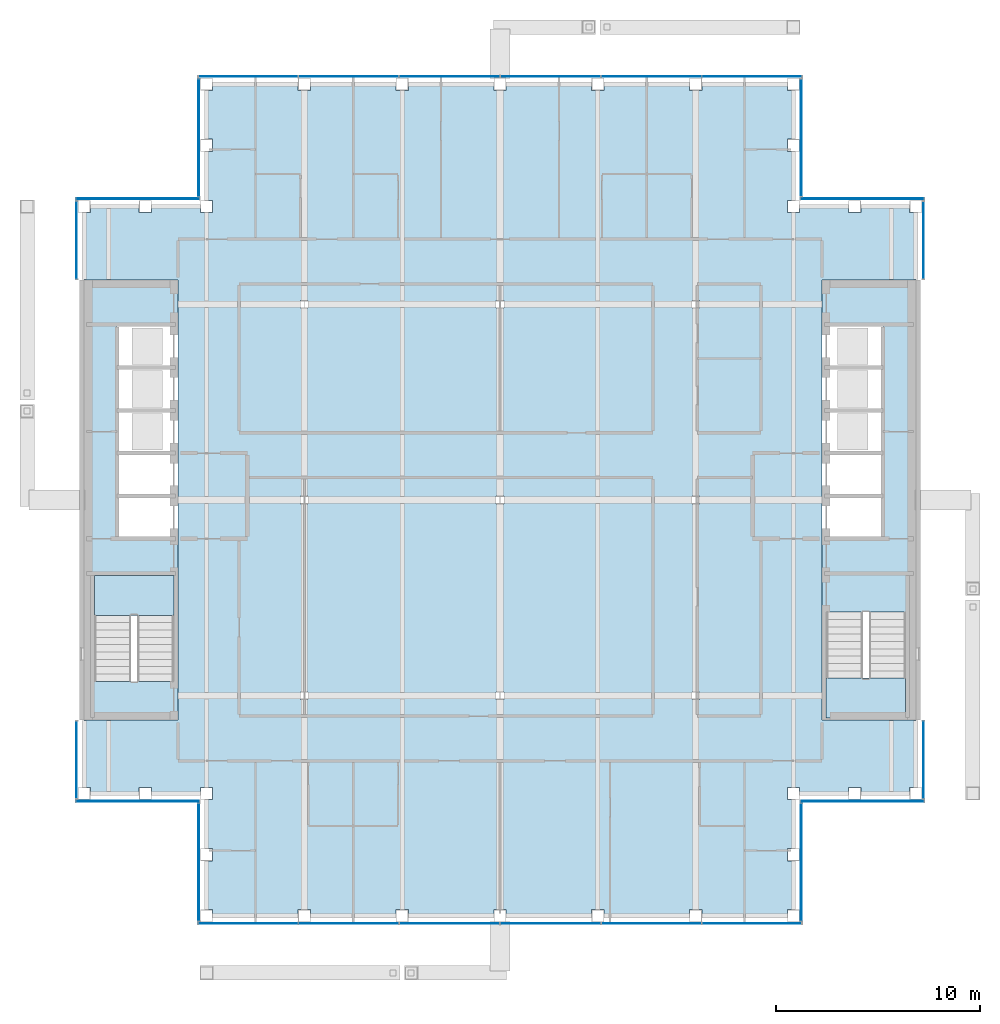
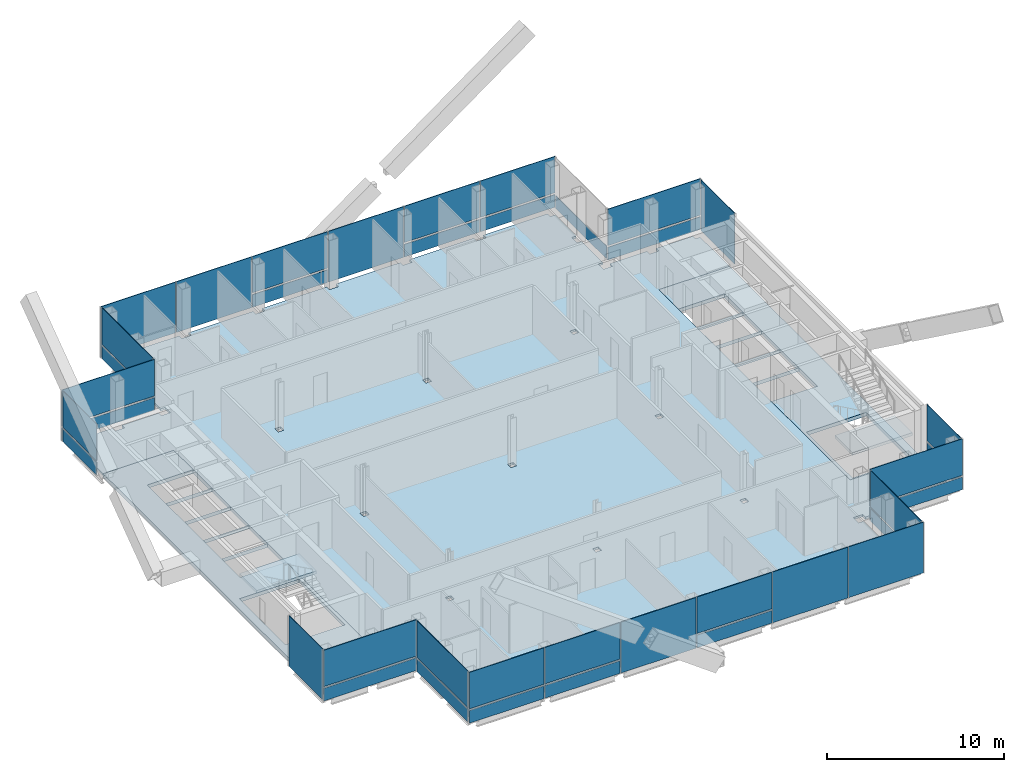
# One storey, part 9 of 15: 39 plates, 5 slabs, 16 elements without a shape of their own.
"""IFC4 building model written with IfcOpenShell, lengths in metres."""

from ifc_helpers import new_model, si_unit, direction, frame, origin, origin_2d, place, context, subcontext, project, spatial, polyline, rectangle, outline, extrude, material, layer, layer_set, type_object, element, aggregate, save


model = new_model("IFC4")

# Units and contexts
model_context = context("Model", 3, precision=1e-05, world=origin(), true_north=direction((0.0, 1.0)))
body_context = subcontext(model_context, "Body", "Model", "MODEL_VIEW")
ifc_project = project(units=[si_unit("LENGTHUNIT", "METRE"), si_unit("AREAUNIT", "SQUARE_METRE"), si_unit("VOLUMEUNIT", "CUBIC_METRE"), si_unit("PLANEANGLEUNIT", "RADIAN"), si_unit("MASSUNIT", "GRAM", prefix="KILO")], contexts=[model_context])

# Site, building, storey
site_placement = place(None, origin())
site = spatial("IfcSite", under=ifc_project, at=site_placement, CompositionType="ELEMENT")
building_placement = place(site_placement, origin())
building = spatial("IfcBuilding", under=site, at=building_placement, Name="Cobrizo Arcos Hotel Tower", CompositionType="ELEMENT")
storey_placement = place(building_placement, frame((0.0, 0.0, 244.5)))
storey = spatial("IfcBuildingStorey", under=building, at=storey_placement, Name="L64", CompositionType="ELEMENT", Elevation=244.5)

# Curtain wall, plates
ifc_material_1 = material(Name="Aluminium 6063-T6 anodised bronze", Category="aluminium")
curtain_wall_type = type_object("IfcCurtainWallType", Name="CW-A guest facade", PredefinedType="NOTDEFINED", material=ifc_material_1)
curtain_wall_1_placement = place(storey_placement, origin())
curtain_wall_1 = element("IfcCurtainWall", 1, at=curtain_wall_1_placement, inside=storey, type_object=curtain_wall_type, Name="CW-A L64 S face", PredefinedType="NOTDEFINED")
ifc_material_2 = material(Name="Glass clear laminated low-e", Category="glass")
ifc_layer_1 = layer(ifc_material_2, 0.0400390625)
ifc_layer_set_1 = layer_set([ifc_layer_1], Name="CW-A glass panel")
plate_type_1 = type_object("IfcPlateType", Name="CW-A glass panel", PredefinedType="CURTAIN_PANEL", material=ifc_layer_set_1)
plate_1_placement = place(storey_placement, frame((-12.360107421875, -20.77490234375, 0.990234375), z_axis=(0.0, 0.0, 1.0), x_axis=(1.0, 0.0, 0.0)))
plate_1 = element("IfcPlate", 2, at=plate_1_placement, type_object=plate_type_1, Name="CW-A glass panel 2036", PredefinedType="CURTAIN_PANEL", context=body_context, shape_type="SweptSolid", body=[
    extrude(rectangle(XDim=4.860107421875, YDim=0.0400390625, at=origin_2d()), origin(), (0.0, 0.0, 1.0), 2.510009765625),
])
plate_2_placement = place(storey_placement, frame((-7.425048828125, -20.77490234375, 0.990234375), z_axis=(0.0, 0.0, 1.0), x_axis=(1.0, 0.0, 0.0)))
plate_2 = element("IfcPlate", 3, at=plate_2_placement, type_object=plate_type_1, Name="CW-A glass panel 2037", PredefinedType="CURTAIN_PANEL", context=body_context, shape_type="SweptSolid", body=[
    extrude(rectangle(XDim=4.889892578125, YDim=0.0400390625, at=origin_2d()), origin(), (0.0, 0.0, 1.0), 2.510009765625),
])
plate_3_placement = place(storey_placement, frame((2.47509765625, -20.77490234375, 0.990234375), z_axis=(0.0, 0.0, 1.0), x_axis=(1.0, 0.0, 0.0)))
plate_3 = element("IfcPlate", 4, at=plate_3_placement, type_object=plate_type_1, Name="CW-A glass panel 2039", PredefinedType="CURTAIN_PANEL", context=body_context, shape_type="SweptSolid", body=[
    extrude(rectangle(XDim=4.889892578125, YDim=0.0400390625, at=origin_2d()), origin(), (0.0, 0.0, 1.0), 2.510009765625),
])

# Curtain wall, plate
curtain_wall_2_placement = place(storey_placement, origin())
curtain_wall_2 = element("IfcCurtainWall", 5, at=curtain_wall_2_placement, inside=storey, type_object=curtain_wall_type, Name="CW-A L64 E face", PredefinedType="NOTDEFINED")
plate_4_placement = place(storey_placement, frame((14.77490234375, -17.77490234375, 0.990234375), z_axis=(0.0, 0.0, 1.0), x_axis=(0.0, 1.0, 0.0)))
plate_4 = element("IfcPlate", 6, at=plate_4_placement, type_object=plate_type_1, Name="CW-A glass panel 2042", PredefinedType="CURTAIN_PANEL", context=body_context, shape_type="SweptSolid", body=[
    extrude(rectangle(XDim=5.72998046875, YDim=0.0400390625, at=origin_2d()), origin(), (0.0, 0.0, 1.0), 2.510009765625),
])

curtain_wall_3_placement = place(storey_placement, origin())
curtain_wall_3 = element("IfcCurtainWall", 7, at=curtain_wall_3_placement, inside=storey, type_object=curtain_wall_type, Name="CW-A L64 S face", PredefinedType="NOTDEFINED")
plate_5_placement = place(storey_placement, frame((17.77490234375, -14.77490234375, 0.990234375), z_axis=(0.0, 0.0, 1.0), x_axis=(1.0, 0.0, 0.0)))
plate_5 = element("IfcPlate", 8, at=plate_5_placement, type_object=plate_type_1, Name="CW-A glass panel 2043", PredefinedType="CURTAIN_PANEL", context=body_context, shape_type="SweptSolid", body=[
    extrude(rectangle(XDim=6.030029296875, YDim=0.0400390625, at=origin_2d()), origin(), (0.0, 0.0, 1.0), 2.510009765625),
])

curtain_wall_4_placement = place(storey_placement, origin())
curtain_wall_4 = element("IfcCurtainWall", 9, at=curtain_wall_4_placement, inside=storey, type_object=curtain_wall_type, Name="CW-A L64 E face", PredefinedType="NOTDEFINED")
plate_6_placement = place(storey_placement, frame((20.77490234375, -12.75, 0.990234375), z_axis=(0.0, 0.0, 1.0), x_axis=(0.0, 1.0, 0.0)))
plate_6 = element("IfcPlate", 10, at=plate_6_placement, type_object=plate_type_1, Name="CW-A glass panel 2044", PredefinedType="CURTAIN_PANEL", context=body_context, shape_type="SweptSolid", body=[
    extrude(rectangle(XDim=3.780029296875, YDim=0.0400390625, at=origin_2d()), origin(), (0.0, 0.0, 1.0), 2.510009765625),
])

curtain_wall_5_placement = place(storey_placement, origin())
curtain_wall_5 = element("IfcCurtainWall", 11, at=curtain_wall_5_placement, inside=storey, type_object=curtain_wall_type, Name="CW-A L64 N face", PredefinedType="NOTDEFINED")
plate_7_placement = place(storey_placement, frame((17.77490234375, 14.77490234375, 0.990234375), z_axis=(0.0, 0.0, 1.0), x_axis=(-1.0, 0.0, 0.0)))
plate_7 = element("IfcPlate", 12, at=plate_7_placement, type_object=plate_type_1, Name="CW-A glass panel 2046", PredefinedType="CURTAIN_PANEL", context=body_context, shape_type="SweptSolid", body=[
    extrude(rectangle(XDim=6.030029296875, YDim=0.0400390625, at=origin_2d()), origin(), (0.0, 0.0, 1.0), 2.510009765625),
])

# Curtain wall, plates
curtain_wall_6_placement = place(storey_placement, origin())
curtain_wall_6 = element("IfcCurtainWall", 13, at=curtain_wall_6_placement, inside=storey, type_object=curtain_wall_type, Name="CW-A L64 N face", PredefinedType="NOTDEFINED")
plate_8_placement = place(storey_placement, frame((12.360107421875, 20.77490234375, 0.990234375), z_axis=(0.0, 0.0, 1.0), x_axis=(-1.0, 0.0, 0.0)))
plate_8 = element("IfcPlate", 14, at=plate_8_placement, type_object=plate_type_1, Name="CW-A glass panel 2048", PredefinedType="CURTAIN_PANEL", context=body_context, shape_type="SweptSolid", body=[
    extrude(rectangle(XDim=4.860107421875, YDim=0.0400390625, at=origin_2d()), origin(), (0.0, 0.0, 1.0), 2.510009765625),
])
plate_9_placement = place(storey_placement, frame((7.425048828125, 20.77490234375, 0.990234375), z_axis=(0.0, 0.0, 1.0), x_axis=(-1.0, 0.0, 0.0)))
plate_9 = element("IfcPlate", 15, at=plate_9_placement, type_object=plate_type_1, Name="CW-A glass panel 2049", PredefinedType="CURTAIN_PANEL", context=body_context, shape_type="SweptSolid", body=[
    extrude(rectangle(XDim=4.889892578125, YDim=0.0400390625, at=origin_2d()), origin(), (0.0, 0.0, 1.0), 2.510009765625),
])
plate_10_placement = place(storey_placement, frame((-2.47509765625, 20.77490234375, 0.990234375), z_axis=(0.0, 0.0, 1.0), x_axis=(-1.0, 0.0, 0.0)))
plate_10 = element("IfcPlate", 16, at=plate_10_placement, type_object=plate_type_1, Name="CW-A glass panel 2051", PredefinedType="CURTAIN_PANEL", context=body_context, shape_type="SweptSolid", body=[
    extrude(rectangle(XDim=4.889892578125, YDim=0.0400390625, at=origin_2d()), origin(), (0.0, 0.0, 1.0), 2.510009765625),
])

# Curtain wall, plate
curtain_wall_7_placement = place(storey_placement, origin())
curtain_wall_7 = element("IfcCurtainWall", 17, at=curtain_wall_7_placement, inside=storey, type_object=curtain_wall_type, Name="CW-A L64 W face", PredefinedType="NOTDEFINED")
plate_11_placement = place(storey_placement, frame((-14.77490234375, 17.77490234375, 0.990234375), z_axis=(0.0, 0.0, 1.0), x_axis=(0.0, -1.0, 0.0)))
plate_11 = element("IfcPlate", 18, at=plate_11_placement, type_object=plate_type_1, Name="CW-A glass panel 2054", PredefinedType="CURTAIN_PANEL", context=body_context, shape_type="SweptSolid", body=[
    extrude(rectangle(XDim=5.72998046875, YDim=0.0400390625, at=origin_2d()), origin(), (0.0, 0.0, 1.0), 2.510009765625),
])

curtain_wall_8_placement = place(storey_placement, origin())
curtain_wall_8 = element("IfcCurtainWall", 19, at=curtain_wall_8_placement, inside=storey, type_object=curtain_wall_type, Name="CW-A L64 N face", PredefinedType="NOTDEFINED")
plate_12_placement = place(storey_placement, frame((-17.77490234375, 14.77490234375, 0.990234375), z_axis=(0.0, 0.0, 1.0), x_axis=(-1.0, 0.0, 0.0)))
plate_12 = element("IfcPlate", 20, at=plate_12_placement, type_object=plate_type_1, Name="CW-A glass panel 2055", PredefinedType="CURTAIN_PANEL", context=body_context, shape_type="SweptSolid", body=[
    extrude(rectangle(XDim=6.030029296875, YDim=0.0400390625, at=origin_2d()), origin(), (0.0, 0.0, 1.0), 2.510009765625),
])

curtain_wall_9_placement = place(storey_placement, origin())
curtain_wall_9 = element("IfcCurtainWall", 21, at=curtain_wall_9_placement, inside=storey, type_object=curtain_wall_type, Name="CW-A L64 W face", PredefinedType="NOTDEFINED")
plate_13_placement = place(storey_placement, frame((-20.77490234375, 12.75, 0.990234375), z_axis=(0.0, 0.0, 1.0), x_axis=(0.0, -1.0, 0.0)))
plate_13 = element("IfcPlate", 22, at=plate_13_placement, type_object=plate_type_1, Name="CW-A glass panel 2056", PredefinedType="CURTAIN_PANEL", context=body_context, shape_type="SweptSolid", body=[
    extrude(rectangle(XDim=3.780029296875, YDim=0.0400390625, at=origin_2d()), origin(), (0.0, 0.0, 1.0), 2.510009765625),
])

curtain_wall_10_placement = place(storey_placement, origin())
curtain_wall_10 = element("IfcCurtainWall", 23, at=curtain_wall_10_placement, inside=storey, type_object=curtain_wall_type, Name="CW-A L64 S face", PredefinedType="NOTDEFINED")
plate_14_placement = place(storey_placement, frame((-17.77490234375, -14.77490234375, 0.990234375), z_axis=(0.0, 0.0, 1.0), x_axis=(1.0, 0.0, 0.0)))
plate_14 = element("IfcPlate", 24, at=plate_14_placement, type_object=plate_type_1, Name="CW-A glass panel 2058", PredefinedType="CURTAIN_PANEL", context=body_context, shape_type="SweptSolid", body=[
    extrude(rectangle(XDim=6.030029296875, YDim=0.0400390625, at=origin_2d()), origin(), (0.0, 0.0, 1.0), 2.510009765625),
])

curtain_wall_11_placement = place(storey_placement, origin())
curtain_wall_11 = element("IfcCurtainWall", 25, at=curtain_wall_11_placement, inside=storey, type_object=curtain_wall_type, Name="CW-A L64 W face", PredefinedType="NOTDEFINED")
plate_15_placement = place(storey_placement, frame((-14.77490234375, -17.77490234375, 0.990234375), z_axis=(0.0, 0.0, 1.0), x_axis=(0.0, -1.0, 0.0)))
plate_15 = element("IfcPlate", 26, at=plate_15_placement, type_object=plate_type_1, Name="CW-A glass panel 2059", PredefinedType="CURTAIN_PANEL", context=body_context, shape_type="SweptSolid", body=[
    extrude(rectangle(XDim=5.72998046875, YDim=0.0400390625, at=origin_2d()), origin(), (0.0, 0.0, 1.0), 2.510009765625),
])

# Plate
ifc_material_3 = material(Name="Aluminium composite panel pale metal", Category="aluminium")
ifc_layer_2 = layer(ifc_material_3, 0.0400390625)
ifc_layer_set_2 = layer_set([ifc_layer_2], Name="CW-A spandrel panel")
plate_type_2 = type_object("IfcPlateType", Name="CW-A spandrel panel", PredefinedType="CURTAIN_PANEL", material=ifc_layer_set_2)
plate_16_placement = place(storey_placement, frame((-12.360107421875, -20.77490234375, 0.0), z_axis=(0.0, 0.0, 1.0), x_axis=(1.0, 0.0, 0.0)))
plate_16 = element("IfcPlate", 27, at=plate_16_placement, type_object=plate_type_2, Name="CW-A spandrel panel 2036", PredefinedType="CURTAIN_PANEL", context=body_context, shape_type="SweptSolid", body=[
    extrude(rectangle(XDim=4.860107421875, YDim=0.0400390625, at=origin_2d()), origin(), (0.0, 0.0, 1.0), 0.8701171875),
])

plate_17_placement = place(storey_placement, frame((-7.425048828125, -20.77490234375, 0.0), z_axis=(0.0, 0.0, 1.0), x_axis=(1.0, 0.0, 0.0)))
plate_17 = element("IfcPlate", 28, at=plate_17_placement, type_object=plate_type_2, Name="CW-A spandrel panel 2037", PredefinedType="CURTAIN_PANEL", context=body_context, shape_type="SweptSolid", body=[
    extrude(rectangle(XDim=4.889892578125, YDim=0.0400390625, at=origin_2d()), origin(), (0.0, 0.0, 1.0), 0.8701171875),
])

plate_18_placement = place(storey_placement, frame((-2.47509765625, -20.77490234375, 0.0), z_axis=(0.0, 0.0, 1.0), x_axis=(1.0, 0.0, 0.0)))
plate_18 = element("IfcPlate", 29, at=plate_18_placement, type_object=plate_type_2, Name="CW-A spandrel panel 2038", PredefinedType="CURTAIN_PANEL", context=body_context, shape_type="SweptSolid", body=[
    extrude(rectangle(XDim=4.889892578125, YDim=0.0400390625, at=origin_2d()), origin(), (0.0, 0.0, 1.0), 3.5),
])

plate_19_placement = place(storey_placement, frame((2.47509765625, -20.77490234375, 0.0), z_axis=(0.0, 0.0, 1.0), x_axis=(1.0, 0.0, 0.0)))
plate_19 = element("IfcPlate", 30, at=plate_19_placement, type_object=plate_type_2, Name="CW-A spandrel panel 2039", PredefinedType="CURTAIN_PANEL", context=body_context, shape_type="SweptSolid", body=[
    extrude(rectangle(XDim=4.889892578125, YDim=0.0400390625, at=origin_2d()), origin(), (0.0, 0.0, 1.0), 0.8701171875),
])

plate_20_placement = place(storey_placement, frame((7.425048828125, -20.77490234375, 0.0), z_axis=(0.0, 0.0, 1.0), x_axis=(1.0, 0.0, 0.0)))
plate_20 = element("IfcPlate", 31, at=plate_20_placement, type_object=plate_type_2, Name="CW-A spandrel panel 2040", PredefinedType="CURTAIN_PANEL", context=body_context, shape_type="SweptSolid", body=[
    extrude(rectangle(XDim=4.889892578125, YDim=0.0400390625, at=origin_2d()), origin(), (0.0, 0.0, 1.0), 3.5),
])

plate_21_placement = place(storey_placement, frame((12.360107421875, -20.77490234375, 0.0), z_axis=(0.0, 0.0, 1.0), x_axis=(1.0, 0.0, 0.0)))
plate_21 = element("IfcPlate", 32, at=plate_21_placement, type_object=plate_type_2, Name="CW-A spandrel panel 2041", PredefinedType="CURTAIN_PANEL", context=body_context, shape_type="SweptSolid", body=[
    extrude(rectangle(XDim=4.860107421875, YDim=0.0400390625, at=origin_2d()), origin(), (0.0, 0.0, 1.0), 3.5),
])

aggregate(curtain_wall_1, [plate_16, plate_1, plate_17, plate_2, plate_18, plate_19, plate_3, plate_20, plate_21])

plate_22_placement = place(storey_placement, frame((14.77490234375, -17.77490234375, 0.0), z_axis=(0.0, 0.0, 1.0), x_axis=(0.0, 1.0, 0.0)))
plate_22 = element("IfcPlate", 33, at=plate_22_placement, type_object=plate_type_2, Name="CW-A spandrel panel 2042", PredefinedType="CURTAIN_PANEL", context=body_context, shape_type="SweptSolid", body=[
    extrude(rectangle(XDim=5.72998046875, YDim=0.0400390625, at=origin_2d()), origin(), (0.0, 0.0, 1.0), 0.8701171875),
])

aggregate(curtain_wall_2, [plate_22, plate_4])

plate_23_placement = place(storey_placement, frame((17.77490234375, -14.77490234375, 0.0), z_axis=(0.0, 0.0, 1.0), x_axis=(1.0, 0.0, 0.0)))
plate_23 = element("IfcPlate", 34, at=plate_23_placement, type_object=plate_type_2, Name="CW-A spandrel panel 2043", PredefinedType="CURTAIN_PANEL", context=body_context, shape_type="SweptSolid", body=[
    extrude(rectangle(XDim=6.030029296875, YDim=0.0400390625, at=origin_2d()), origin(), (0.0, 0.0, 1.0), 0.8701171875),
])

aggregate(curtain_wall_3, [plate_23, plate_5])

plate_24_placement = place(storey_placement, frame((20.77490234375, -12.75, 0.0), z_axis=(0.0, 0.0, 1.0), x_axis=(0.0, 1.0, 0.0)))
plate_24 = element("IfcPlate", 35, at=plate_24_placement, type_object=plate_type_2, Name="CW-A spandrel panel 2044", PredefinedType="CURTAIN_PANEL", context=body_context, shape_type="SweptSolid", body=[
    extrude(rectangle(XDim=3.780029296875, YDim=0.0400390625, at=origin_2d()), origin(), (0.0, 0.0, 1.0), 0.8701171875),
])

aggregate(curtain_wall_4, [plate_24, plate_6])

# Curtain wall, plate
curtain_wall_12_placement = place(storey_placement, origin())
curtain_wall_12 = element("IfcCurtainWall", 36, at=curtain_wall_12_placement, inside=storey, type_object=curtain_wall_type, Name="CW-A L64 E face", PredefinedType="NOTDEFINED")
plate_25_placement = place(storey_placement, frame((20.77490234375, 12.75, 0.0), z_axis=(0.0, 0.0, 1.0), x_axis=(0.0, 1.0, 0.0)))
plate_25 = element("IfcPlate", 37, at=plate_25_placement, type_object=plate_type_2, Name="CW-A spandrel panel 2045", PredefinedType="CURTAIN_PANEL", context=body_context, shape_type="SweptSolid", body=[
    extrude(rectangle(XDim=3.780029296875, YDim=0.0400390625, at=origin_2d()), origin(), (0.0, 0.0, 1.0), 3.5),
])
aggregate(curtain_wall_12, [plate_25])

# Plate
plate_26_placement = place(storey_placement, frame((17.77490234375, 14.77490234375, 0.0), z_axis=(0.0, 0.0, 1.0), x_axis=(-1.0, 0.0, 0.0)))
plate_26 = element("IfcPlate", 38, at=plate_26_placement, type_object=plate_type_2, Name="CW-A spandrel panel 2046", PredefinedType="CURTAIN_PANEL", context=body_context, shape_type="SweptSolid", body=[
    extrude(rectangle(XDim=6.030029296875, YDim=0.0400390625, at=origin_2d()), origin(), (0.0, 0.0, 1.0), 0.8701171875),
])

aggregate(curtain_wall_5, [plate_26, plate_7])

# Curtain wall, plate
curtain_wall_13_placement = place(storey_placement, origin())
curtain_wall_13 = element("IfcCurtainWall", 39, at=curtain_wall_13_placement, inside=storey, type_object=curtain_wall_type, Name="CW-A L64 E face", PredefinedType="NOTDEFINED")
plate_27_placement = place(storey_placement, frame((14.77490234375, 17.77490234375, 0.0), z_axis=(0.0, 0.0, 1.0), x_axis=(0.0, 1.0, 0.0)))
plate_27 = element("IfcPlate", 40, at=plate_27_placement, type_object=plate_type_2, Name="CW-A spandrel panel 2047", PredefinedType="CURTAIN_PANEL", context=body_context, shape_type="SweptSolid", body=[
    extrude(rectangle(XDim=5.72998046875, YDim=0.0400390625, at=origin_2d()), origin(), (0.0, 0.0, 1.0), 0.8701171875),
])
aggregate(curtain_wall_13, [plate_27])

# Plate
plate_28_placement = place(storey_placement, frame((12.360107421875, 20.77490234375, 0.0), z_axis=(0.0, 0.0, 1.0), x_axis=(-1.0, 0.0, 0.0)))
plate_28 = element("IfcPlate", 41, at=plate_28_placement, type_object=plate_type_2, Name="CW-A spandrel panel 2048", PredefinedType="CURTAIN_PANEL", context=body_context, shape_type="SweptSolid", body=[
    extrude(rectangle(XDim=4.860107421875, YDim=0.0400390625, at=origin_2d()), origin(), (0.0, 0.0, 1.0), 0.8701171875),
])

plate_29_placement = place(storey_placement, frame((7.425048828125, 20.77490234375, 0.0), z_axis=(0.0, 0.0, 1.0), x_axis=(-1.0, 0.0, 0.0)))
plate_29 = element("IfcPlate", 42, at=plate_29_placement, type_object=plate_type_2, Name="CW-A spandrel panel 2049", PredefinedType="CURTAIN_PANEL", context=body_context, shape_type="SweptSolid", body=[
    extrude(rectangle(XDim=4.889892578125, YDim=0.0400390625, at=origin_2d()), origin(), (0.0, 0.0, 1.0), 0.8701171875),
])

plate_30_placement = place(storey_placement, frame((2.47509765625, 20.77490234375, 0.0), z_axis=(0.0, 0.0, 1.0), x_axis=(-1.0, 0.0, 0.0)))
plate_30 = element("IfcPlate", 43, at=plate_30_placement, type_object=plate_type_2, Name="CW-A spandrel panel 2050", PredefinedType="CURTAIN_PANEL", context=body_context, shape_type="SweptSolid", body=[
    extrude(rectangle(XDim=4.889892578125, YDim=0.0400390625, at=origin_2d()), origin(), (0.0, 0.0, 1.0), 3.5),
])

plate_31_placement = place(storey_placement, frame((-2.47509765625, 20.77490234375, 0.0), z_axis=(0.0, 0.0, 1.0), x_axis=(-1.0, 0.0, 0.0)))
plate_31 = element("IfcPlate", 44, at=plate_31_placement, type_object=plate_type_2, Name="CW-A spandrel panel 2051", PredefinedType="CURTAIN_PANEL", context=body_context, shape_type="SweptSolid", body=[
    extrude(rectangle(XDim=4.889892578125, YDim=0.0400390625, at=origin_2d()), origin(), (0.0, 0.0, 1.0), 0.8701171875),
])

plate_32_placement = place(storey_placement, frame((-7.425048828125, 20.77490234375, 0.0), z_axis=(0.0, 0.0, 1.0), x_axis=(-1.0, 0.0, 0.0)))
plate_32 = element("IfcPlate", 45, at=plate_32_placement, type_object=plate_type_2, Name="CW-A spandrel panel 2052", PredefinedType="CURTAIN_PANEL", context=body_context, shape_type="SweptSolid", body=[
    extrude(rectangle(XDim=4.889892578125, YDim=0.0400390625, at=origin_2d()), origin(), (0.0, 0.0, 1.0), 3.5),
])

plate_33_placement = place(storey_placement, frame((-12.360107421875, 20.77490234375, 0.0), z_axis=(0.0, 0.0, 1.0), x_axis=(-1.0, 0.0, 0.0)))
plate_33 = element("IfcPlate", 46, at=plate_33_placement, type_object=plate_type_2, Name="CW-A spandrel panel 2053", PredefinedType="CURTAIN_PANEL", context=body_context, shape_type="SweptSolid", body=[
    extrude(rectangle(XDim=4.860107421875, YDim=0.0400390625, at=origin_2d()), origin(), (0.0, 0.0, 1.0), 3.5),
])

aggregate(curtain_wall_6, [plate_28, plate_8, plate_29, plate_9, plate_30, plate_31, plate_10, plate_32, plate_33])

plate_34_placement = place(storey_placement, frame((-14.77490234375, 17.77490234375, 0.0), z_axis=(0.0, 0.0, 1.0), x_axis=(0.0, -1.0, 0.0)))
plate_34 = element("IfcPlate", 47, at=plate_34_placement, type_object=plate_type_2, Name="CW-A spandrel panel 2054", PredefinedType="CURTAIN_PANEL", context=body_context, shape_type="SweptSolid", body=[
    extrude(rectangle(XDim=5.72998046875, YDim=0.0400390625, at=origin_2d()), origin(), (0.0, 0.0, 1.0), 0.8701171875),
])

aggregate(curtain_wall_7, [plate_34, plate_11])

plate_35_placement = place(storey_placement, frame((-17.77490234375, 14.77490234375, 0.0), z_axis=(0.0, 0.0, 1.0), x_axis=(-1.0, 0.0, 0.0)))
plate_35 = element("IfcPlate", 48, at=plate_35_placement, type_object=plate_type_2, Name="CW-A spandrel panel 2055", PredefinedType="CURTAIN_PANEL", context=body_context, shape_type="SweptSolid", body=[
    extrude(rectangle(XDim=6.030029296875, YDim=0.0400390625, at=origin_2d()), origin(), (0.0, 0.0, 1.0), 0.8701171875),
])

aggregate(curtain_wall_8, [plate_35, plate_12])

plate_36_placement = place(storey_placement, frame((-20.77490234375, 12.75, 0.0), z_axis=(0.0, 0.0, 1.0), x_axis=(0.0, -1.0, 0.0)))
plate_36 = element("IfcPlate", 49, at=plate_36_placement, type_object=plate_type_2, Name="CW-A spandrel panel 2056", PredefinedType="CURTAIN_PANEL", context=body_context, shape_type="SweptSolid", body=[
    extrude(rectangle(XDim=3.780029296875, YDim=0.0400390625, at=origin_2d()), origin(), (0.0, 0.0, 1.0), 0.8701171875),
])

aggregate(curtain_wall_9, [plate_36, plate_13])

# Curtain wall, plate
curtain_wall_14_placement = place(storey_placement, origin())
curtain_wall_14 = element("IfcCurtainWall", 50, at=curtain_wall_14_placement, inside=storey, type_object=curtain_wall_type, Name="CW-A L64 W face", PredefinedType="NOTDEFINED")
plate_37_placement = place(storey_placement, frame((-20.77490234375, -12.75, 0.0), z_axis=(0.0, 0.0, 1.0), x_axis=(0.0, -1.0, 0.0)))
plate_37 = element("IfcPlate", 51, at=plate_37_placement, type_object=plate_type_2, Name="CW-A spandrel panel 2057", PredefinedType="CURTAIN_PANEL", context=body_context, shape_type="SweptSolid", body=[
    extrude(rectangle(XDim=3.780029296875, YDim=0.0400390625, at=origin_2d()), origin(), (0.0, 0.0, 1.0), 3.5),
])
aggregate(curtain_wall_14, [plate_37])

# Plate
plate_38_placement = place(storey_placement, frame((-17.77490234375, -14.77490234375, 0.0), z_axis=(0.0, 0.0, 1.0), x_axis=(1.0, 0.0, 0.0)))
plate_38 = element("IfcPlate", 52, at=plate_38_placement, type_object=plate_type_2, Name="CW-A spandrel panel 2058", PredefinedType="CURTAIN_PANEL", context=body_context, shape_type="SweptSolid", body=[
    extrude(rectangle(XDim=6.030029296875, YDim=0.0400390625, at=origin_2d()), origin(), (0.0, 0.0, 1.0), 0.8701171875),
])

aggregate(curtain_wall_10, [plate_38, plate_14])

plate_39_placement = place(storey_placement, frame((-14.77490234375, -17.77490234375, 0.0), z_axis=(0.0, 0.0, 1.0), x_axis=(0.0, -1.0, 0.0)))
plate_39 = element("IfcPlate", 53, at=plate_39_placement, type_object=plate_type_2, Name="CW-A spandrel panel 2059", PredefinedType="CURTAIN_PANEL", context=body_context, shape_type="SweptSolid", body=[
    extrude(rectangle(XDim=5.72998046875, YDim=0.0400390625, at=origin_2d()), origin(), (0.0, 0.0, 1.0), 0.8701171875),
])

aggregate(curtain_wall_11, [plate_39, plate_15])

# Slabs
ifc_material_4 = material(Name="Concrete f'c 35 MPa", Category="concrete")
ifc_layer_3 = layer(ifc_material_4, 0.14990234375)
ifc_layer_set_3 = layer_set([ifc_layer_3], Name="Composite floor slab 150 f'c 35")
slab_type_1 = type_object("IfcSlabType", Name="Composite floor slab 150 f'c 35", PredefinedType="FLOOR", material=ifc_layer_set_3)
slab_1_placement = place(storey_placement, frame((0.0, 0.0, -0.14990234375)))
element("IfcSlab", 54, at=slab_1_placement, inside=storey, type_object=slab_type_1, Name="Floor slab S5, L64, no. 01", PredefinedType="FLOOR", context=body_context, shape_type="SweptSolid", body=[
    extrude(outline(polyline([(-14.10009765625, -20.39990234375), (-14.10009765625, -20.10009765625), (-14.39990234375, -20.10009765625), (-14.39990234375, -17.699951171875), (-14.10009765625, -17.699951171875), (-14.10009765625, -17.10009765625), (-14.39990234375, -17.10009765625), (-14.39990234375, -14.699951171875), (-14.10009765625, -14.699951171875), (-14.10009765625, -14.10009765625), (-14.699951171875, -14.10009765625), (-14.699951171875, -14.39990234375), (-17.10009765625, -14.39990234375), (-17.10009765625, -14.10009765625), (-17.699951171875, -14.10009765625), (-17.699951171875, -14.39990234375), (-20.10009765625, -14.39990234375), (-20.10009765625, -14.10009765625), (-20.39990234375, -14.10009765625), (-20.39990234375, -10.800048828125), (-15.800048828125, -10.800048828125), (-15.800048828125, 10.800048828125), (-20.39990234375, 10.800048828125), (-20.39990234375, 14.10009765625), (-20.10009765625, 14.10009765625), (-20.10009765625, 14.39990234375), (-17.699951171875, 14.39990234375), (-17.699951171875, 14.10009765625), (-17.10009765625, 14.10009765625), (-17.10009765625, 14.39990234375), (-14.699951171875, 14.39990234375), (-14.699951171875, 14.10009765625), (-14.10009765625, 14.10009765625), (-14.10009765625, 14.699951171875), (-14.39990234375, 14.699951171875), (-14.39990234375, 17.10009765625), (-14.10009765625, 17.10009765625), (-14.10009765625, 17.699951171875), (-14.39990234375, 17.699951171875), (-14.39990234375, 20.10009765625), (-14.10009765625, 20.10009765625), (-14.10009765625, 20.39990234375), (-9.89990234375, 20.39990234375), (-9.89990234375, 20.10009765625), (-9.300048828125, 20.10009765625), (-9.300048828125, 20.39990234375), (-5.10009765625, 20.39990234375), (-5.10009765625, 20.10009765625), (-4.5, 20.10009765625), (-4.5, 20.39990234375), (-0.300048828125, 20.39990234375), (-0.300048828125, 20.10009765625), (0.300048828125, 20.10009765625), (0.300048828125, 20.39990234375), (4.5, 20.39990234375), (4.5, 20.10009765625), (5.10009765625, 20.10009765625), (5.10009765625, 20.39990234375), (9.300048828125, 20.39990234375), (9.300048828125, 20.10009765625), (9.89990234375, 20.10009765625), (9.89990234375, 20.39990234375), (14.10009765625, 20.39990234375), (14.10009765625, 20.10009765625), (14.39990234375, 20.10009765625), (14.39990234375, 17.699951171875), (14.10009765625, 17.699951171875), (14.10009765625, 17.10009765625), (14.39990234375, 17.10009765625), (14.39990234375, 14.699951171875), (14.10009765625, 14.699951171875), (14.10009765625, 14.10009765625), (14.699951171875, 14.10009765625), (14.699951171875, 14.39990234375), (17.10009765625, 14.39990234375), (17.10009765625, 14.10009765625), (17.699951171875, 14.10009765625), (17.699951171875, 14.39990234375), (20.10009765625, 14.39990234375), (20.10009765625, 14.10009765625), (20.39990234375, 14.10009765625), (20.39990234375, 10.800048828125), (15.800048828125, 10.800048828125), (15.800048828125, -10.800048828125), (20.39990234375, -10.800048828125), (20.39990234375, -14.10009765625), (20.10009765625, -14.10009765625), (20.10009765625, -14.39990234375), (17.699951171875, -14.39990234375), (17.699951171875, -14.10009765625), (17.10009765625, -14.10009765625), (17.10009765625, -14.39990234375), (14.699951171875, -14.39990234375), (14.699951171875, -14.10009765625), (14.10009765625, -14.10009765625), (14.10009765625, -14.699951171875), (14.39990234375, -14.699951171875), (14.39990234375, -17.10009765625), (14.10009765625, -17.10009765625), (14.10009765625, -17.699951171875), (14.39990234375, -17.699951171875), (14.39990234375, -20.10009765625), (14.10009765625, -20.10009765625), (14.10009765625, -20.39990234375), (9.89990234375, -20.39990234375), (9.89990234375, -20.10009765625), (9.300048828125, -20.10009765625), (9.300048828125, -20.39990234375), (5.10009765625, -20.39990234375), (5.10009765625, -20.10009765625), (4.5, -20.10009765625), (4.5, -20.39990234375), (0.300048828125, -20.39990234375), (0.300048828125, -20.10009765625), (-0.300048828125, -20.10009765625), (-0.300048828125, -20.39990234375), (-4.5, -20.39990234375), (-4.5, -20.10009765625), (-5.10009765625, -20.10009765625), (-5.10009765625, -20.39990234375), (-9.300048828125, -20.39990234375), (-9.300048828125, -20.10009765625), (-9.89990234375, -20.10009765625), (-9.89990234375, -20.39990234375), (-14.10009765625, -20.39990234375)]), holes=[polyline([(-9.415771484375, -9.7841796875), (-9.415771484375, -9.415771484375), (-9.7841796875, -9.415771484375), (-9.7841796875, -9.7841796875), (-9.415771484375, -9.7841796875)]), polyline([(-9.415771484375, -0.18408203125), (-9.415771484375, 0.18408203125), (-9.7841796875, 0.18408203125), (-9.7841796875, -0.18408203125), (-9.415771484375, -0.18408203125)]), polyline([(-9.7841796875, 9.415771484375), (-9.415771484375, 9.415771484375), (-9.415771484375, 9.7841796875), (-9.7841796875, 9.7841796875), (-9.7841796875, 9.415771484375)]), polyline([(-0.18408203125, -9.7841796875), (0.18408203125, -9.7841796875), (0.18408203125, -9.415771484375), (-0.18408203125, -9.415771484375), (-0.18408203125, -9.7841796875)]), polyline([(9.415771484375, -9.7841796875), (9.7841796875, -9.7841796875), (9.7841796875, -9.415771484375), (9.415771484375, -9.415771484375), (9.415771484375, -9.7841796875)]), polyline([(0.18408203125, -0.18408203125), (0.18408203125, 0.18408203125), (-0.18408203125, 0.18408203125), (-0.18408203125, -0.18408203125), (0.18408203125, -0.18408203125)]), polyline([(9.7841796875, -0.18408203125), (9.7841796875, 0.18408203125), (9.415771484375, 0.18408203125), (9.415771484375, -0.18408203125), (9.7841796875, -0.18408203125)]), polyline([(0.18408203125, 9.415771484375), (0.18408203125, 9.7841796875), (-0.18408203125, 9.7841796875), (-0.18408203125, 9.415771484375), (0.18408203125, 9.415771484375)]), polyline([(9.415771484375, 9.415771484375), (9.7841796875, 9.415771484375), (9.7841796875, 9.7841796875), (9.415771484375, 9.7841796875), (9.415771484375, 9.415771484375)])]), origin(), (0.0, 0.0, 1.0), 0.14990234375),
])
ifc_material_5 = material(Name="Concrete f'c 40 MPa", Category="concrete")
ifc_layer_4 = layer(ifc_material_5, 0.25)
ifc_layer_set_4 = layer_set([ifc_layer_4], Name="RC core floor slab 250 f'c 40")
slab_type_2 = type_object("IfcSlabType", Name="RC core floor slab 250 f'c 40", PredefinedType="FLOOR", material=ifc_layer_set_4)
slab_2_placement = place(storey_placement, frame((0.0, 0.0, -0.25)))
element("IfcSlab", 55, at=slab_2_placement, inside=storey, type_object=slab_type_2, Name="Core floor slab CS7, east core, L64", PredefinedType="FLOOR", context=body_context, shape_type="SweptSolid", body=[
    extrude(outline(polyline([(15.800048828125, 10.800048828125), (20.39990234375, 10.800048828125), (20.39990234375, -10.800048828125), (15.800048828125, -10.800048828125), (15.800048828125, 10.800048828125)]), holes=[polyline([(19.89794921875, -10.697998046875), (19.89794921875, -5.501953125), (16.001953125, -5.501953125), (16.001953125, -10.697998046875), (19.89794921875, -10.697998046875)]), polyline([(15.802001953125, 0.197998046875), (15.802001953125, -1.89794921875), (18.798095703125, -1.89794921875), (18.798095703125, 0.197998046875), (15.802001953125, 0.197998046875)]), polyline([(15.802001953125, 2.298095703125), (15.802001953125, 0.201904296875), (18.798095703125, 0.201904296875), (18.798095703125, 2.298095703125), (15.802001953125, 2.298095703125)]), polyline([(15.802001953125, 4.39794921875), (15.802001953125, 2.302001953125), (18.798095703125, 2.302001953125), (18.798095703125, 4.39794921875), (15.802001953125, 4.39794921875)]), polyline([(18.798095703125, 6.498046875), (15.802001953125, 6.498046875), (15.802001953125, 4.402099609375), (18.798095703125, 4.402099609375), (18.798095703125, 6.498046875)]), polyline([(18.798095703125, 8.597900390625), (15.802001953125, 8.597900390625), (15.802001953125, 6.501953125), (18.798095703125, 6.501953125), (18.798095703125, 8.597900390625)])]), origin(), (0.0, 0.0, 1.0), 0.25),
])
slab_3_placement = place(storey_placement, frame((0.0, 0.0, -0.25)))
element("IfcSlab", 56, at=slab_3_placement, inside=storey, type_object=slab_type_2, Name="Core floor slab CS7, west core, L64", PredefinedType="FLOOR", context=body_context, shape_type="SweptSolid", body=[
    extrude(outline(polyline([(-20.39990234375, 10.800048828125), (-15.800048828125, 10.800048828125), (-15.800048828125, -10.800048828125), (-20.39990234375, -10.800048828125), (-20.39990234375, 10.800048828125)]), holes=[polyline([(-19.89794921875, -3.701904296875), (-19.89794921875, -8.89794921875), (-16.001953125, -8.89794921875), (-16.001953125, -3.701904296875), (-19.89794921875, -3.701904296875)]), polyline([(-18.798095703125, 0.197998046875), (-18.798095703125, -1.89794921875), (-15.802001953125, -1.89794921875), (-15.802001953125, 0.197998046875), (-18.798095703125, 0.197998046875)]), polyline([(-18.798095703125, 2.298095703125), (-18.798095703125, 0.201904296875), (-15.802001953125, 0.201904296875), (-15.802001953125, 2.298095703125), (-18.798095703125, 2.298095703125)]), polyline([(-18.798095703125, 4.39794921875), (-18.798095703125, 2.302001953125), (-15.802001953125, 2.302001953125), (-15.802001953125, 4.39794921875), (-18.798095703125, 4.39794921875)]), polyline([(-15.802001953125, 6.498046875), (-18.798095703125, 6.498046875), (-18.798095703125, 4.402099609375), (-15.802001953125, 4.402099609375), (-15.802001953125, 6.498046875)]), polyline([(-15.802001953125, 8.597900390625), (-18.798095703125, 8.597900390625), (-18.798095703125, 6.501953125), (-15.802001953125, 6.501953125), (-15.802001953125, 8.597900390625)])]), origin(), (0.0, 0.0, 1.0), 0.25),
])

# Stair, slab
stair_type = type_object("IfcStairType", Name="Exit stair", PredefinedType="HALF_TURN_STAIR", material=ifc_material_5)
stair_1_placement = place(storey_placement, origin())
stair_1 = element("IfcStair", 57, at=stair_1_placement, inside=storey, type_object=stair_type, Name="L64 Exit stair ST-W", PredefinedType="HALF_TURN_STAIR")
ifc_layer_5 = layer(ifc_material_5, 0.199951171875)
ifc_layer_set_5 = layer_set([ifc_layer_5], Name="Stair landing")
slab_type_3 = type_object("IfcSlabType", Name="Stair landing", PredefinedType="LANDING", material=ifc_layer_set_5)
slab_4_placement = place(storey_placement, frame((0.0, 0.0, 1.550048828125)))
slab_4 = element("IfcSlab", 58, at=slab_4_placement, type_object=slab_type_3, Name="ST-W landing 1", PredefinedType="LANDING", context=body_context, shape_type="SweptSolid", body=[
    extrude(outline(polyline([(-16.0, -5.659912109375), (-16.0, -3.699951171875), (-19.89990234375, -3.699951171875), (-19.89990234375, -5.659912109375), (-16.0, -5.659912109375)])), origin(), (0.0, 0.0, 1.0), 0.199951171875),
])
aggregate(stair_1, [slab_4])

stair_2_placement = place(storey_placement, origin())
stair_2 = element("IfcStair", 59, at=stair_2_placement, inside=storey, type_object=stair_type, Name="L64 Exit stair ST-E", PredefinedType="HALF_TURN_STAIR")
slab_5_placement = place(storey_placement, frame((0.0, 0.0, 1.550048828125)))
slab_5 = element("IfcSlab", 60, at=slab_5_placement, type_object=slab_type_3, Name="ST-E landing 1", PredefinedType="LANDING", context=body_context, shape_type="SweptSolid", body=[
    extrude(outline(polyline([(16.0, -8.739990234375), (16.0, -10.699951171875), (19.89990234375, -10.699951171875), (19.89990234375, -8.739990234375), (16.0, -8.739990234375)])), origin(), (0.0, 0.0, 1.0), 0.199951171875),
])
aggregate(stair_2, [slab_5])

save(model, "model.ifc")
